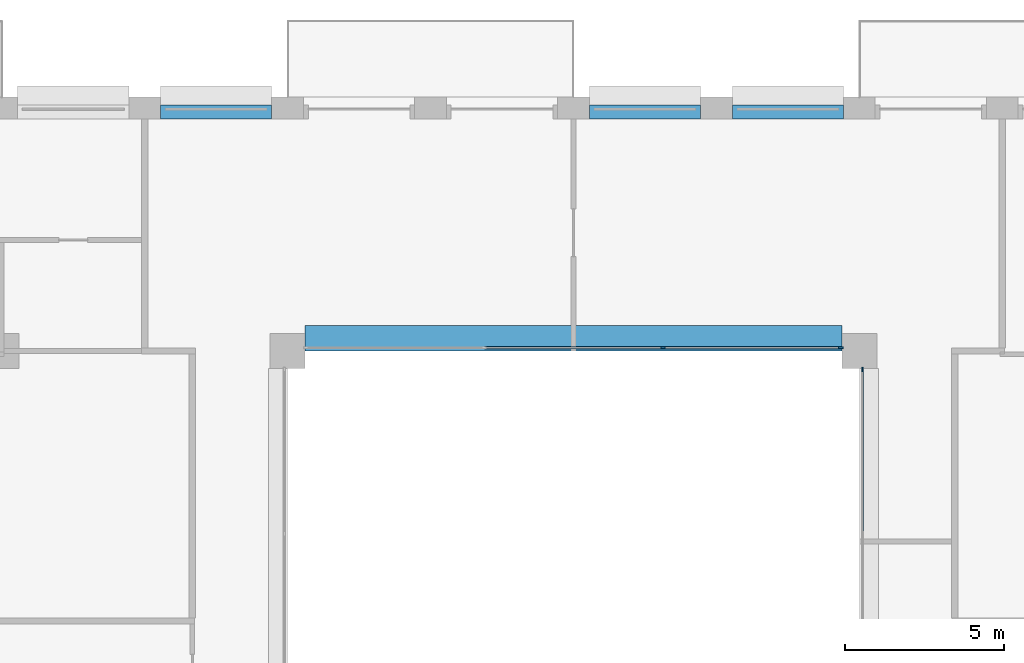
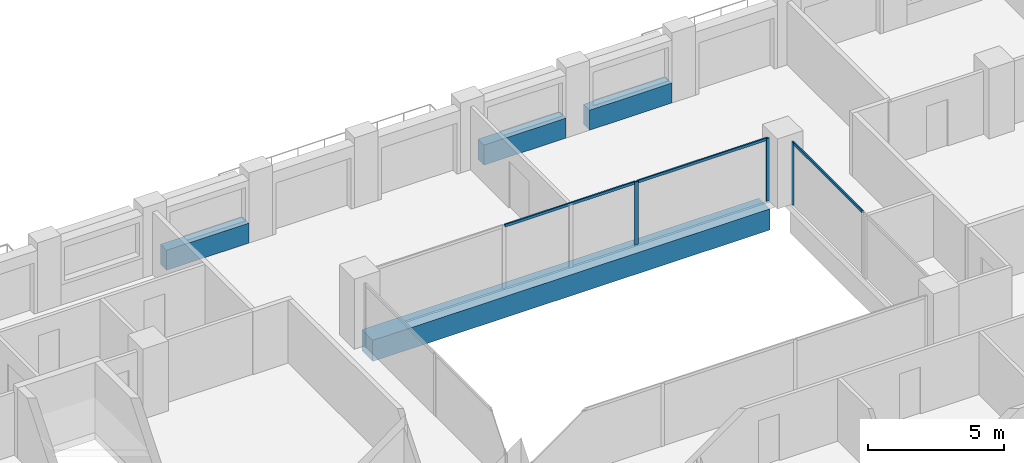
# One storey, part 6 of 16: 6 members, 4 beams, 2 elements without a shape of their own.
"""IFC4 building model written with IfcOpenShell, lengths in metres."""

from ifc_helpers import new_model, si_unit, direction, frame, origin, origin_2d, place, context, subcontext, project, spatial, rectangle, extrude, material, layer, layer_set, material_profile, profile_set, type_object, element, aggregate, save


model = new_model("IFC4")

# Units and contexts
model_context = context("Model", 3, precision=1e-05, world=origin(), true_north=direction((0.0, 1.0)))
body_context = subcontext(model_context, "Body", "Model", "MODEL_VIEW")
ifc_project = project(units=[si_unit("LENGTHUNIT", "METRE"), si_unit("AREAUNIT", "SQUARE_METRE"), si_unit("VOLUMEUNIT", "CUBIC_METRE"), si_unit("PLANEANGLEUNIT", "RADIAN"), si_unit("MASSUNIT", "GRAM", prefix="KILO")], contexts=[model_context])

# Site, building, storey
site_placement = place(None, origin())
site = spatial("IfcSite", under=ifc_project, at=site_placement, CompositionType="ELEMENT")
building_placement = place(site_placement, origin())
building = spatial("IfcBuilding", under=site, at=building_placement, Name="Brigalow Station Residences", CompositionType="ELEMENT")
storey_placement = place(building_placement, frame((0.0, 0.0, 163.35009765625)))
storey = spatial("IfcBuildingStorey", under=building, at=storey_placement, Name="L47", CompositionType="ELEMENT", Elevation=163.35009765625)

# Beam
ifc_material_1 = material(Name="Concrete C65", Category="concrete")
ifc_material_profile_1 = material_profile(ifc_material_1, rectangle(XDim=0.800048828125, YDim=0.949951171875, at=origin_2d()), Name="RC800x950")
ifc_profile_set_1 = profile_set([ifc_material_profile_1], Name="Concrete C65")
beam_type_1 = type_object("IfcBeamType", Name="ATRIUM EDGE GIRDER OVER 13.5 M SPAN 800x950 C65", PredefinedType="BEAM", material=ifc_profile_set_1)
beam_placement = place(storey_placement, frame((27.550048828125, 35.89990234375, -0.795166015625), z_axis=(1.0, 0.0, 0.0), x_axis=(0.0, 1.0, 0.0)))
element("IfcBeam", 1, at=beam_placement, inside=storey, type_object=beam_type_1, Name="ATRIUM EDGE GIRDER D L47", PredefinedType="BEAM", context=body_context, shape_type="SweptSolid", body=[
    extrude(rectangle(XDim=0.800048828125, YDim=0.949951171875, at=origin_2d()), origin(), (0.0, 0.0, 1.0), 16.89990234375),
])

# Curtain wall, member
ifc_material_2 = material(Name="Aluminium", Category="aluminium")
ifc_layer = layer(ifc_material_2, 0.14990234375)
ifc_layer_set = layer_set([ifc_layer], Name="ATRIUM FIRE-RATED GLAZING CURTAIN WALL")
curtain_wall_type = type_object("IfcCurtainWallType", Name="ATRIUM FIRE-RATED GLAZING CURTAIN WALL", PredefinedType="NOTDEFINED", material=ifc_layer_set)
curtain_wall_1_placement = place(storey_placement, origin())
curtain_wall_1 = element("IfcCurtainWall", 2, at=curtain_wall_1_placement, inside=storey, type_object=curtain_wall_type, Name="L47/cw/atrium-E", PredefinedType="NOTDEFINED")
ifc_material_3 = material(Name="Aluminium", Category="aluminium")
ifc_material_profile_2 = material_profile(ifc_material_3, rectangle(XDim=0.06005859375, YDim=0.14990234375, at=origin_2d()), Name="ATRIUM FIRE-RATED GLAZING MULLION 60x150")
ifc_profile_set_2 = profile_set([ifc_material_profile_2], Name="Aluminium")
member_type_1 = type_object("IfcMemberType", Name="ATRIUM FIRE-RATED GLAZING MULLION 60x150", PredefinedType="MULLION", material=ifc_profile_set_2)
member_1_placement = place(storey_placement, frame((45.10009765625, 34.919921875, 0.0), z_axis=(0.0, 0.0, 1.0), x_axis=(-1.0, 0.0, 0.0)))
member_1 = element("IfcMember", 3, at=member_1_placement, type_object=member_type_1, Name="L47/cw/atrium-E/M02", PredefinedType="MULLION", context=body_context, shape_type="SweptSolid", body=[
    extrude(rectangle(XDim=0.06005859375, YDim=0.14990234375, at=origin_2d()), origin(), (0.0, 0.0, 1.0), 2.829833984375),
])

# Curtain wall, members
curtain_wall_2_placement = place(storey_placement, origin())
curtain_wall_2 = element("IfcCurtainWall", 4, at=curtain_wall_2_placement, inside=storey, type_object=curtain_wall_type, Name="L47/cw/atrium-N", PredefinedType="NOTDEFINED")
member_2_placement = place(storey_placement, frame((44.419921875, 35.60009765625, 0.0), z_axis=(0.0, 0.0, 1.0), x_axis=(0.0, -1.0, 0.0)))
member_2 = element("IfcMember", 5, at=member_2_placement, type_object=member_type_1, Name="L47/cw/atrium-N/M00", PredefinedType="MULLION", context=body_context, shape_type="SweptSolid", body=[
    extrude(rectangle(XDim=0.06005859375, YDim=0.14990234375, at=origin_2d()), origin(), (0.0, 0.0, 1.0), 2.829833984375),
])
member_3_placement = place(storey_placement, frame((38.816650390625, 35.60009765625, 0.0), z_axis=(0.0, 0.0, 1.0), x_axis=(0.0, -1.0, 0.0)))
member_3 = element("IfcMember", 6, at=member_3_placement, type_object=member_type_1, Name="L47/cw/atrium-N/M01", PredefinedType="MULLION", context=body_context, shape_type="SweptSolid", body=[
    extrude(rectangle(XDim=0.06005859375, YDim=0.14990234375, at=origin_2d()), origin(), (0.0, 0.0, 1.0), 2.829833984375),
])

# Member
ifc_material_4 = material(Name="Aluminium", Category="aluminium")
ifc_material_profile_3 = material_profile(ifc_material_4, rectangle(XDim=0.06005859375, YDim=0.1201171875, at=origin_2d()), Name="ATRIUM FIRE-RATED GLAZING TRANSOM 60x120")
ifc_profile_set_3 = profile_set([ifc_material_profile_3], Name="Aluminium")
member_type_2 = type_object("IfcMemberType", Name="ATRIUM FIRE-RATED GLAZING TRANSOM 60x120", PredefinedType="USERDEFINED", material=ifc_profile_set_3)
member_4_placement = place(storey_placement, frame((45.10009765625, 29.780029296875, 2.7998046875), z_axis=(0.0, 1.0, 0.0), x_axis=(-1.0, 0.0, 0.0)))
member_4 = element("IfcMember", 7, at=member_4_placement, type_object=member_type_2, Name="L47/cw/atrium-E/T01-00", ObjectType="TRANSOM", PredefinedType="USERDEFINED", context=body_context, shape_type="SweptSolid", body=[
    extrude(rectangle(XDim=0.06005859375, YDim=0.1201171875, at=origin_2d()), origin(), (0.0, 0.0, 1.0), 5.10986328125),
])

aggregate(curtain_wall_1, [member_1, member_4])

member_5_placement = place(storey_placement, frame((44.389892578125, 35.60009765625, 2.7998046875), z_axis=(-1.0, 0.0, 0.0), x_axis=(0.0, -1.0, 0.0)))
member_5 = element("IfcMember", 8, at=member_5_placement, type_object=member_type_2, Name="L47/cw/atrium-N/T00-00", ObjectType="TRANSOM", PredefinedType="USERDEFINED", context=body_context, shape_type="SweptSolid", body=[
    extrude(rectangle(XDim=0.06005859375, YDim=0.1201171875, at=origin_2d()), origin(), (0.0, 0.0, 1.0), 5.543212890625),
])

member_6_placement = place(storey_placement, frame((38.78662109375, 35.60009765625, 2.7998046875), z_axis=(-1.0, 0.0, 0.0), x_axis=(0.0, -1.0, 0.0)))
member_6 = element("IfcMember", 9, at=member_6_placement, type_object=member_type_2, Name="L47/cw/atrium-N/T01-00", ObjectType="TRANSOM", PredefinedType="USERDEFINED", context=body_context, shape_type="SweptSolid", body=[
    extrude(rectangle(XDim=0.06005859375, YDim=0.1201171875, at=origin_2d()), origin(), (0.0, 0.0, 1.0), 5.5732421875),
])

aggregate(curtain_wall_2, [member_2, member_3, member_5, member_6])

# Beams
ifc_material_5 = material(Name="Concrete C50", Category="concrete")
ifc_material_profile_4 = material_profile(ifc_material_5, rectangle(XDim=0.449951171875, YDim=0.89990234375, at=origin_2d()), Name="RC450x900")
ifc_profile_set_4 = profile_set([ifc_material_profile_4], Name="Concrete C50")
beam_type_2 = type_object("IfcBeamType", Name="SPANDREL BEAM 450x900 C50", PredefinedType="SPANDREL", material=ifc_profile_set_4)
for number, where, z_axis, x_axis, name in (
    (10, (44.5, 43.02490234375, 0.449951171875), (-1.0, 0.0, 0.0), (0.0, -1.0, 0.0), "L47/spandrel/W-L47-27"),
    (11, (40.0, 43.02490234375, 0.449951171875), (-1.0, 0.0, 0.0), (0.0, -1.0, 0.0), "L47/spandrel/W-L47-28"),
    (12, (26.5, 43.02490234375, 0.449951171875), (-1.0, 0.0, 0.0), (0.0, -1.0, 0.0), "L47/spandrel/W-L47-31"),
):
    element("IfcBeam", number, at=place(storey_placement, frame(where, z_axis=z_axis, x_axis=x_axis)), inside=storey, type_object=beam_type_2, Name=name, PredefinedType="SPANDREL", context=body_context, shape_type="SweptSolid", body=[
        extrude(rectangle(XDim=0.449951171875, YDim=0.89990234375, at=origin_2d()), origin(), (0.0, 0.0, 1.0), 3.5),
    ])

save(model, "model.ifc")
